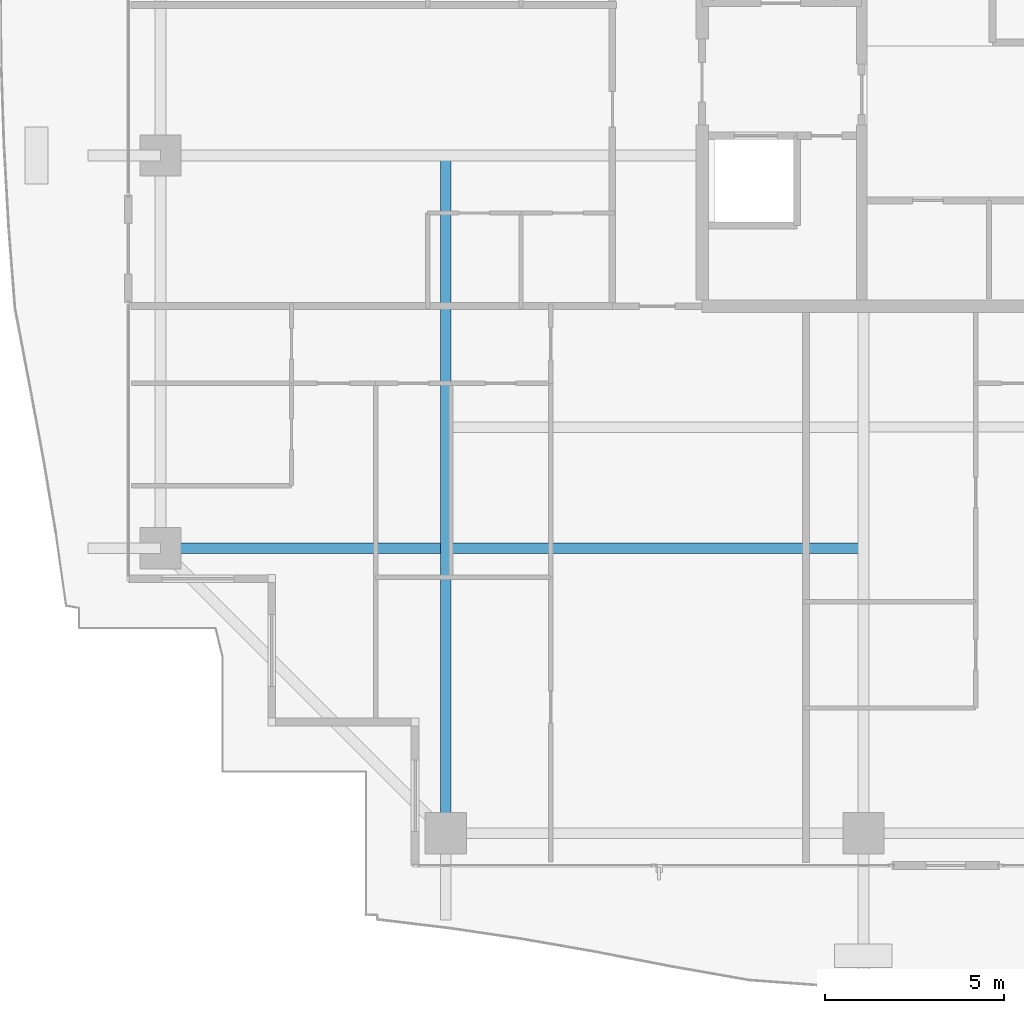
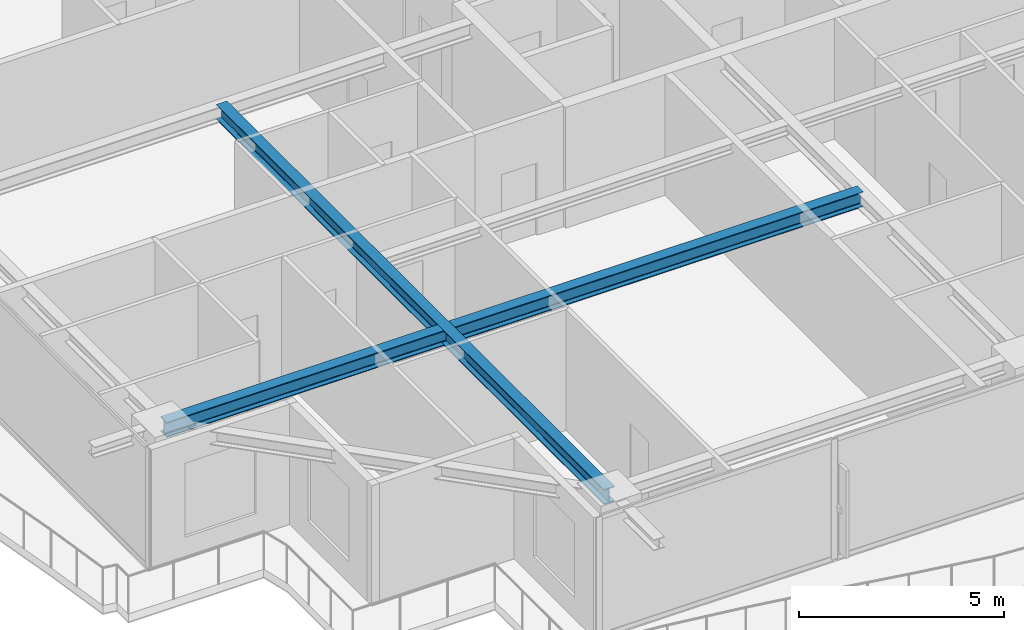
# One storey, part 4 of 38: 2 beams.
"""IFC4 building model written with IfcOpenShell, lengths in metres."""

import ifcopenshell
import ifcopenshell.guid

model = None  # the IFC model being written
_history = None  # IfcOwnerHistory: only IFC2X3 demands one
_inside = {}  # id of a spatial element -> (the spatial element, [elements in it])
_under = {}  # id of a project, library or spatial element -> (it, [spatial elements below it])
_declared = {}  # id of a project -> (the project, [libraries it declares])
_typed = {}  # id of a type object -> (the type object, [elements of that type])
_made_of = {}  # id of a material, layer set ... -> (it, [elements and type objects made of it])


def new_model(schema):
    """Start an empty IFC model of exactly this schema.

    Asked for "IFC4X3", IfcOpenShell would pick the latest addendum, in which some entities
    have other attributes; the version numbers below select the first issue.
    IFC2X3 requires an IfcOwnerHistory on every rooted entity: one is made here for all.
    """
    global model, _history
    if schema == "IFC4X3":
        model = ifcopenshell.file(schema_version=(4, 3, 0, 0))
    else:
        model = ifcopenshell.file(schema=schema)
    _inside.clear()
    _under.clear()
    _declared.clear()
    _typed.clear()
    _made_of.clear()
    _history = None
    if model.schema == "IFC2X3":
        org = make("IfcOrganization", Name="unknown")
        user = make(
            "IfcPersonAndOrganization",
            ThePerson=make("IfcPerson", FamilyName="unknown"),
            TheOrganization=org,
        )
        app = make(
            "IfcApplication",
            ApplicationDeveloper=org,
            Version="unknown",
            ApplicationFullName="unknown",
            ApplicationIdentifier="unknown",
        )
        _history = make(
            "IfcOwnerHistory",
            OwningUser=user,
            OwningApplication=app,
            ChangeAction="ADDED",
            CreationDate=0,
        )
    return model


def make(cls, **values):
    """One entity of the class cls with the attributes given. An attribute that is None is left unset."""
    return model.create_entity(
        cls, **{name: value for name, value in values.items() if value is not None}
    )


def rooted(cls, **values):
    """An entity with a GlobalId (a new one), such as an element, a storey or a relation."""
    return make(cls, GlobalId=ifcopenshell.guid.new(), OwnerHistory=_history, **values)


def si_unit(unit_type, name, prefix=None):
    """IfcSIUnit, for example si_unit("LENGTHUNIT", "METRE", prefix="MILLI")."""
    return make("IfcSIUnit", UnitType=unit_type, Prefix=prefix, Name=name)


def assignment(units):
    """IfcUnitAssignment: the units of a project."""
    return None if units is None else make("IfcUnitAssignment", Units=units)


def point(xyz):
    """IfcCartesianPoint."""
    return None if xyz is None else make("IfcCartesianPoint", Coordinates=xyz)


def direction(xyz):
    """IfcDirection."""
    return None if xyz is None else make("IfcDirection", DirectionRatios=xyz)


def frame(location, z_axis=None, x_axis=None):
    """IfcAxis2Placement3D, a coordinate frame: its origin and axes. An axis left out is left unset."""
    return make(
        "IfcAxis2Placement3D",
        Location=point(location),
        Axis=direction(z_axis),
        RefDirection=direction(x_axis),
    )


def frame_2d(location, x_axis=None):
    """IfcAxis2Placement2D, a coordinate frame in the plane: its origin and x axis."""
    return make(
        "IfcAxis2Placement2D", Location=point(location), RefDirection=direction(x_axis)
    )


def origin():
    """The frame at (0, 0, 0) with its axes left unset."""
    return frame((0.0, 0.0, 0.0))


def origin_2d():
    """The frame at (0, 0) in the plane with its x axis left unset."""
    return frame_2d((0.0, 0.0))


def place(relative_to, where):
    """IfcLocalPlacement: puts the frame where relative to a parent placement (None: the world)."""
    return make(
        "IfcLocalPlacement", PlacementRelTo=relative_to, RelativePlacement=where
    )


def context(
    kind, dimensions, precision=None, world=None, true_north=None, identifier=None
):
    """IfcGeometricRepresentationContext, for example the 3D "Model" context."""
    return make(
        "IfcGeometricRepresentationContext",
        ContextIdentifier=identifier,
        ContextType=kind,
        CoordinateSpaceDimension=dimensions,
        Precision=precision,
        WorldCoordinateSystem=world,
        TrueNorth=true_north,
    )


def subcontext(parent, identifier, kind, view, scale=None):
    """IfcGeometricRepresentationSubContext, for example "Body" below "Model"."""
    return make(
        "IfcGeometricRepresentationSubContext",
        ContextIdentifier=identifier,
        ContextType=kind,
        ParentContext=parent,
        TargetScale=scale,
        TargetView=view,
    )


def project(units=None, contexts=None):
    """IfcProject with its units and contexts."""
    return rooted(
        "IfcProject",
        Name="project",
        RepresentationContexts=contexts,
        UnitsInContext=assignment(units),
    )


def spatial(cls, under=None, at=None, **own):
    """A site, building, storey or space (cls), placed at a placement, below another one or the project."""
    s = rooted(cls, ObjectPlacement=at, **own)
    if under is not None:
        _under.setdefault(under.id(), (under, []))[1].append(s)
    return s


def profile(cls, at=None, kind="AREA", **sizes):
    """A parametric profile (cls). Its sizes go by their IFC names, for example OverallWidth=200.0."""
    return make(cls, ProfileType=kind, Position=at, **sizes)


def i_section(**sizes):
    """IfcIShapeProfileDef."""
    return profile("IfcIShapeProfileDef", **sizes)


def extrude(swept, where, along, depth):
    """IfcExtrudedAreaSolid: the profile swept, set in the frame where, extruded along a direction by depth."""
    return make(
        "IfcExtrudedAreaSolid",
        SweptArea=swept,
        Position=where,
        ExtrudedDirection=direction(along),
        Depth=depth,
    )


def shape(context_of_items, identifier, shape_type, items):
    """IfcShapeRepresentation: the items that make up one representation, for example the "Body"."""
    return make(
        "IfcShapeRepresentation",
        ContextOfItems=context_of_items,
        RepresentationIdentifier=identifier,
        RepresentationType=shape_type,
        Items=items,
    )


def source(mapping_origin, context_of_items, identifier, shape_type, items):
    """IfcRepresentationMap: a shape defined once, which mapped items show again and again."""
    return make(
        "IfcRepresentationMap",
        MappingOrigin=mapping_origin,
        MappedRepresentation=shape(context_of_items, identifier, shape_type, items),
    )


def transform(
    local_origin,
    x_axis=None,
    y_axis=None,
    z_axis=None,
    scale=None,
    scale2=None,
    scale3=None,
    uniform=True,
):
    """IfcCartesianTransformationOperator3D, or its non-uniform kind. x_axis, y_axis, z_axis: its Axis1, 2, 3."""
    if uniform:
        return make(
            "IfcCartesianTransformationOperator3D",
            Axis1=direction(x_axis),
            Axis2=direction(y_axis),
            LocalOrigin=point(local_origin),
            Scale=scale,
            Axis3=direction(z_axis),
        )
    return make(
        "IfcCartesianTransformationOperator3DnonUniform",
        Axis1=direction(x_axis),
        Axis2=direction(y_axis),
        LocalOrigin=point(local_origin),
        Scale=scale,
        Axis3=direction(z_axis),
        Scale2=scale2,
        Scale3=scale3,
    )


def mapped(mapping_source, mapping_target):
    """IfcMappedItem: shows the shape of a source again, moved by a transform."""
    return make(
        "IfcMappedItem", MappingSource=mapping_source, MappingTarget=mapping_target
    )


def material(Name=None, Category=None):
    """IfcMaterial."""
    return make("IfcMaterial", Name=Name, Category=Category)


def material_profile(
    of_material, cross_section, Name=None, Category=None, Priority=None
):
    """IfcMaterialProfile: a cross section and its material."""
    return make(
        "IfcMaterialProfile",
        Name=Name,
        Material=of_material,
        Profile=cross_section,
        Priority=Priority,
        Category=Category,
    )


def profile_set(profiles, Name=None, composite=None):
    """IfcMaterialProfileSet."""
    return make(
        "IfcMaterialProfileSet",
        Name=Name,
        MaterialProfiles=profiles,
        CompositeProfile=composite,
    )


def made_of(thing, what):
    """Note that an element or type object is made of a material, layer set ...; save() writes the relation."""
    if what is not None:
        _made_of.setdefault(what.id(), (what, []))[1].append(thing)
    return thing


def type_object(cls, material=None, **own):
    """A type object (cls), such as IfcWallType, which elements share."""
    return made_of(rooted(cls, **own), material)


def element(
    cls,
    number,
    at=None,
    inside=None,
    cuts=None,
    type_object=None,
    material=None,
    context=None,
    identifier="Body",
    shape_type=None,
    held_by="IfcProductDefinitionShape",
    body=None,
    shapes=None,
    **own,
):
    """One element of the class cls, such as IfcWall. Its Tag is "e" and its number.

    at: its placement. inside: the storey or other place that contains it. cuts: it is an
    opening in that element (IfcRelVoidsElement). A single representation is given by context,
    identifier, shape_type and body (its items); several are given by shapes. held_by: the class
    of the entity that holds the representations. save() writes the other relations.
    """
    e = rooted(cls, Tag="e%d" % number, ObjectPlacement=at, **own)
    if body is not None:
        shapes = [shape(context, identifier, shape_type, body)]
    if shapes is not None:
        e.Representation = make(held_by, Representations=shapes)
    if inside is not None:
        _inside.setdefault(inside.id(), (inside, []))[1].append(e)
    if cuts is not None:
        rooted(
            "IfcRelVoidsElement", RelatingBuildingElement=cuts, RelatedOpeningElement=e
        )
    if type_object is not None:
        _typed.setdefault(type_object.id(), (type_object, []))[1].append(e)
    return made_of(e, material)


def aggregate(whole, parts):
    """IfcRelAggregates: a whole, such as a stair, and the parts it consists of."""
    return rooted("IfcRelAggregates", RelatingObject=whole, RelatedObjects=parts)


def save(model, path):
    """Write the relations noted so far, then the file.

    IfcRelAggregates (storeys below a building ...), IfcRelContainedInSpatialStructure (elements
    in a storey), IfcRelDefinesByType, IfcRelAssociatesMaterial and IfcRelDeclares: one each for
    every whole, place, type object, material and project.
    """
    for whole, parts in _under.values():
        aggregate(whole, parts)
    for where, things in _inside.values():
        rooted(
            "IfcRelContainedInSpatialStructure",
            RelatedElements=things,
            RelatingStructure=where,
        )
    for kind, things in _typed.values():
        rooted("IfcRelDefinesByType", RelatedObjects=things, RelatingType=kind)
    for what, things in _made_of.values():
        rooted("IfcRelAssociatesMaterial", RelatedObjects=things, RelatingMaterial=what)
    for by, libraries in _declared.values():
        rooted("IfcRelDeclares", RelatingContext=by, RelatedDefinitions=libraries)
    model.write(path)


model = new_model("IFC4")

# Units and contexts
model_context = context("Model", 3, precision=1e-05, world=origin(), true_north=direction((0.0, 1.0)))
body_context = subcontext(model_context, "Body", "Model", "MODEL_VIEW")
ifc_project = project(units=[si_unit("LENGTHUNIT", "METRE"), si_unit("AREAUNIT", "SQUARE_METRE"), si_unit("VOLUMEUNIT", "CUBIC_METRE"), si_unit("PLANEANGLEUNIT", "RADIAN"), si_unit("MASSUNIT", "GRAM", prefix="KILO")], contexts=[model_context])

# Site, building, storey
site_placement = place(None, origin())
site = spatial("IfcSite", under=ifc_project, at=site_placement, CompositionType="ELEMENT")
building_placement = place(site_placement, origin())
building = spatial("IfcBuilding", under=site, at=building_placement, Name="Serunith Strait Residences", CompositionType="ELEMENT")
storey_placement = place(building_placement, frame((0.0, 0.0, 241.25)))
storey = spatial("IfcBuildingStorey", under=building, at=storey_placement, Name="L60", CompositionType="ELEMENT", Elevation=241.25)

# Beams
ifc_material = material(Name="Steel S355J2", Category="steel")
ifc_material_profile = material_profile(ifc_material, i_section(OverallWidth=0.300048828125, OverallDepth=0.449951171875, WebThickness=0.013916015625, FlangeThickness=0.02587890625, FilletRadius=0.027099609375, at=origin_2d()), Name="HEB 450")
ifc_profile_set = profile_set([ifc_material_profile], Name="Steel S355J2")
beam_type = type_object("IfcBeamType", Name="BM-HEB450", PredefinedType="BEAM", material=ifc_profile_set)
shared_shape_1 = source(origin(), body_context, "Body", "SweptSolid", [
    extrude(i_section(OverallWidth=0.300048828125, OverallDepth=0.449951171875, WebThickness=0.013916015625, FlangeThickness=0.02587890625, FilletRadius=0.027099609375, at=origin_2d()), origin(), (0.0, 0.0, 1.0), 18.89990234375),
])
beam_1_placement = place(storey_placement, frame((16.25, 21.0, 3.362060546875), z_axis=(0.0, -1.0, 0.0), x_axis=(1.0, 0.0, 0.0)))
element("IfcBeam", 1, at=beam_1_placement, inside=storey, type_object=beam_type, Name="L60 Orthogonal Corner Girder TC-S1", PredefinedType="BEAM", context=body_context, shape_type="MappedRepresentation", body=[
    mapped(shared_shape_1, transform((0.0, 0.0, 0.0), scale=1.0)),
])
shared_shape_2 = source(origin(), body_context, "Body", "SweptSolid", [
    extrude(i_section(OverallWidth=0.300048828125, OverallDepth=0.449951171875, WebThickness=0.013916015625, FlangeThickness=0.02587890625, FilletRadius=0.027099609375, at=origin_2d()), origin(), (0.0, 0.0, 1.0), 19.599853515625),
])
beam_2_placement = place(storey_placement, frame((27.89990234375, 10.050048828125, 3.362060546875), z_axis=(-1.0, 0.0, 0.0), x_axis=(0.0, -1.0, 0.0)))
element("IfcBeam", 2, at=beam_2_placement, inside=storey, type_object=beam_type, Name="L60 Orthogonal Corner Girder TC-W1", PredefinedType="BEAM", context=body_context, shape_type="MappedRepresentation", body=[
    mapped(shared_shape_2, transform((0.0, 0.0, 0.0), scale=1.0)),
])

save(model, "model.ifc")
